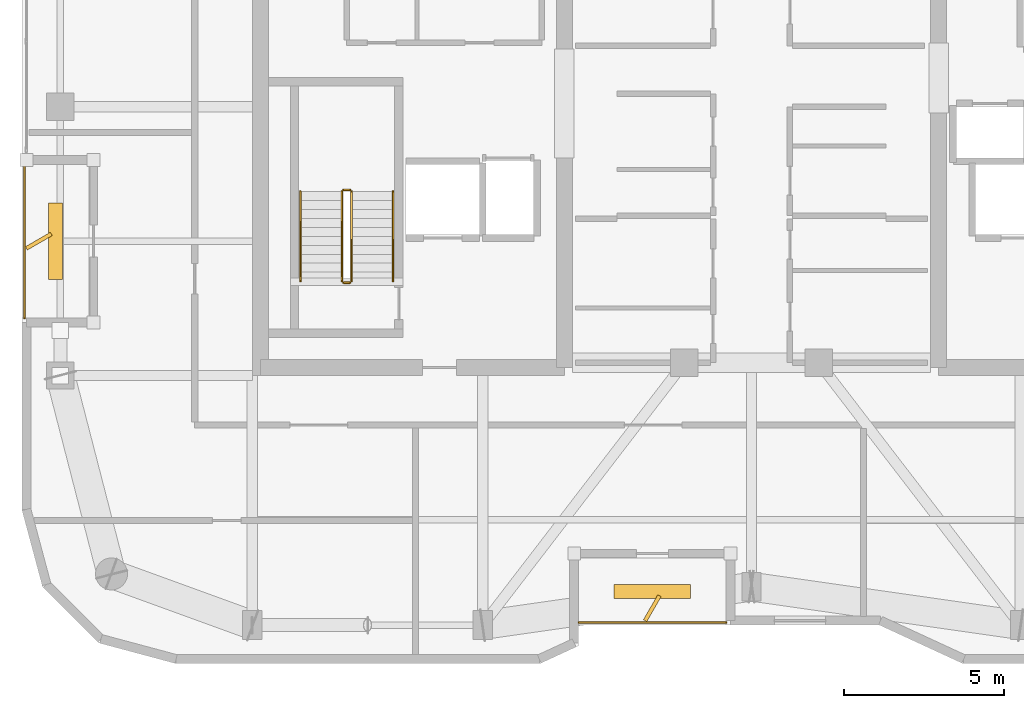
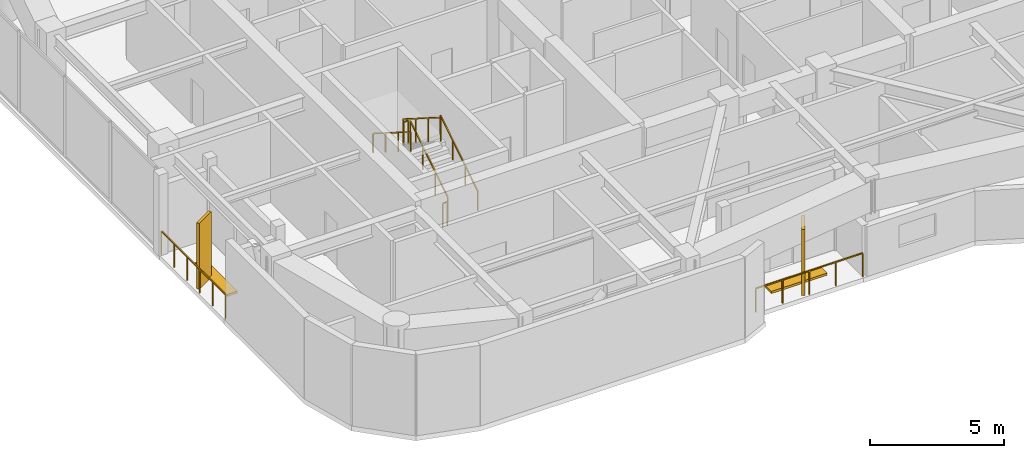
# One storey, part 15 of 16: 8 railings, 4 shading devices.
"""IFC4 building model written with IfcOpenShell, lengths in metres."""

from ifc_helpers import new_model, si_unit, direction, frame, origin, origin_2d, place, context, subcontext, project, spatial, rectangle, extrude, material, type_object, element, save


model = new_model("IFC4")

# Units and contexts
model_context = context("Model", 3, precision=1e-05, world=origin(), true_north=direction((0.0, 1.0)))
body_context = subcontext(model_context, "Body", "Model", "MODEL_VIEW")
ifc_project = project(units=[si_unit("LENGTHUNIT", "METRE"), si_unit("AREAUNIT", "SQUARE_METRE"), si_unit("VOLUMEUNIT", "CUBIC_METRE"), si_unit("PLANEANGLEUNIT", "RADIAN"), si_unit("MASSUNIT", "GRAM", prefix="KILO")], contexts=[model_context])

# Site, building, storey
site_placement = place(None, origin())
site = spatial("IfcSite", under=ifc_project, at=site_placement, CompositionType="ELEMENT")
building_placement = place(site_placement, origin())
building = spatial("IfcBuilding", under=site, at=building_placement, Name="Kiyonajd Concourse Tower", CompositionType="ELEMENT")
storey_placement = place(building_placement, frame((0.0, 0.0, 333.60009765625)))
storey = spatial("IfcBuildingStorey", under=building, at=storey_placement, Name="L84", CompositionType="ELEMENT", Elevation=333.60009765625)

# Railings
ifc_material_1 = material(Name="Thermally Broken Anodised Aluminium", Category="aluminium")
railing_type_1 = type_object("IfcRailingType", Name="RL-GRD-LOG", PredefinedType="GUARDRAIL", material=ifc_material_1)
railing_1_placement = place(storey_placement, frame((42.60009765625, 19.8798828125, 0.0)))
element("IfcRailing", 1, at=railing_1_placement, inside=storey, type_object=railing_type_1, Name="L84 Engawa Loggia Perimeter Guard LOG-S", PredefinedType="GUARDRAIL", context=body_context, shape_type="SweptSolid", body=[
    extrude(rectangle(XDim=0.048095703125, YDim=0.048095703125, at=origin_2d()), frame((0.0, 0.0, 1.076171875), z_axis=(1.0, 0.0, 0.0), x_axis=(0.0, 1.0, 0.0)), (0.0, 0.0, 1.0), 4.599853515625),
    extrude(rectangle(XDim=0.0419921875, YDim=0.0419921875, at=origin_2d()), origin(), (0.0, 0.0, 1.0), 1.052001953125),
    extrude(rectangle(XDim=0.0419921875, YDim=0.0419921875, at=origin_2d()), frame((1.14990234375, 0.0, 0.0)), (0.0, 0.0, 1.0), 1.052001953125),
    extrude(rectangle(XDim=0.0419921875, YDim=0.0419921875, at=origin_2d()), frame((2.2998046875, 0.0, 0.0)), (0.0, 0.0, 1.0), 1.052001953125),
    extrude(rectangle(XDim=0.0419921875, YDim=0.0419921875, at=origin_2d()), frame((3.449951171875, 0.0, 0.0)), (0.0, 0.0, 1.0), 1.052001953125),
    extrude(rectangle(XDim=0.0419921875, YDim=0.0419921875, at=origin_2d()), frame((4.599853515625, 0.0, 0.0)), (0.0, 0.0, 1.0), 1.052001953125),
])
railing_2_placement = place(storey_placement, frame((25.280029296875, 34.199951171875, 0.0)))
element("IfcRailing", 2, at=railing_2_placement, inside=storey, type_object=railing_type_1, Name="L84 Engawa Loggia Perimeter Guard LOG-W", PredefinedType="GUARDRAIL", context=body_context, shape_type="SweptSolid", body=[
    extrude(rectangle(XDim=0.048095703125, YDim=0.048095703125, at=origin_2d()), frame((0.0, 0.0, 1.076171875), z_axis=(0.0, -1.0, 0.0), x_axis=(1.0, 0.0, 0.0)), (0.0, 0.0, 1.0), 4.800048828125),
    extrude(rectangle(XDim=0.0419921875, YDim=0.0419921875, at=origin_2d()), origin(), (0.0, 0.0, 1.0), 1.052001953125),
    extrude(rectangle(XDim=0.0419921875, YDim=0.0419921875, at=origin_2d()), frame((0.0, -0.9599609375, 0.0)), (0.0, 0.0, 1.0), 1.052001953125),
    extrude(rectangle(XDim=0.0419921875, YDim=0.0419921875, at=origin_2d()), frame((0.0, -1.919921875, 0.0)), (0.0, 0.0, 1.0), 1.052001953125),
    extrude(rectangle(XDim=0.0419921875, YDim=0.0419921875, at=origin_2d()), frame((0.0, -2.880126953125, 0.0)), (0.0, 0.0, 1.0), 1.052001953125),
    extrude(rectangle(XDim=0.0419921875, YDim=0.0419921875, at=origin_2d()), frame((0.0, -3.840087890625, 0.0)), (0.0, 0.0, 1.0), 1.052001953125),
    extrude(rectangle(XDim=0.0419921875, YDim=0.0419921875, at=origin_2d()), frame((0.0, -4.800048828125, 0.0)), (0.0, 0.0, 1.0), 1.052001953125),
])
ifc_material_2 = material(Name="Steel ASTM A500 Grade C", Category="steel")
railing_type_2 = type_object("IfcRailingType", Name="RL-GRD-STR", PredefinedType="GUARDRAIL", material=ifc_material_2)
railing_3_placement = place(storey_placement, frame((35.5, 30.550048828125, 0.17724609375)))
element("IfcRailing", 3, at=railing_3_placement, inside=storey, type_object=railing_type_2, Name="L84 ST1 stair guard 1", PredefinedType="GUARDRAIL", context=body_context, shape_type="SweptSolid", body=[
    extrude(rectangle(XDim=0.048095703125, YDim=0.048095703125, at=origin_2d()), frame((0.0, 0.0, 1.076171875), z_axis=(0.0, 0.844908973607, 0.534910110503), x_axis=(-1.0, 0.0, 0.0)), (0.0, 0.0, 1.0), 3.31396484375),
    extrude(rectangle(XDim=0.0419921875, YDim=0.0419921875, at=origin_2d()), origin(), (0.0, 0.0, 1.0), 1.052001953125),
    extrude(rectangle(XDim=0.0419921875, YDim=0.0419921875, at=origin_2d()), frame((0.0, 0.933349609375, 0.5908203125)), (0.0, 0.0, 1.0), 1.052001953125),
    extrude(rectangle(XDim=0.0419921875, YDim=0.0419921875, at=origin_2d()), frame((0.0, 1.86669921875, 1.181884765625)), (0.0, 0.0, 1.0), 1.052001953125),
    extrude(rectangle(XDim=0.0419921875, YDim=0.0419921875, at=origin_2d()), frame((0.0, 2.800048828125, 1.772705078125)), (0.0, 0.0, 1.0), 1.052001953125),
])
railing_4_placement = place(storey_placement, frame((35.449951171875, 33.39990234375, 1.949951171875)))
element("IfcRailing", 4, at=railing_4_placement, inside=storey, type_object=railing_type_2, Name="L84 ST1 stair guard 2", PredefinedType="GUARDRAIL", context=body_context, shape_type="SweptSolid", body=[
    extrude(rectangle(XDim=0.048095703125, YDim=0.048095703125, at=origin_2d()), frame((0.0, 0.0, 1.076171875), z_axis=(-1.0, 0.0, 0.0), x_axis=(0.0, -1.0, 0.0)), (0.0, 0.0, 1.0), 0.199951171875),
    extrude(rectangle(XDim=0.0419921875, YDim=0.0419921875, at=origin_2d()), origin(), (0.0, 0.0, 1.0), 1.052001953125),
    extrude(rectangle(XDim=0.0419921875, YDim=0.0419921875, at=origin_2d()), frame((-0.199951171875, 0.0, 0.0)), (0.0, 0.0, 1.0), 1.052001953125),
])
railing_5_placement = place(storey_placement, frame((35.199951171875, 33.35009765625, 2.127197265625)))
element("IfcRailing", 5, at=railing_5_placement, inside=storey, type_object=railing_type_2, Name="L84 ST1 stair guard 3", PredefinedType="GUARDRAIL", context=body_context, shape_type="SweptSolid", body=[
    extrude(rectangle(XDim=0.048095703125, YDim=0.048095703125, at=origin_2d()), frame((0.0, 0.0, 1.076171875), z_axis=(0.0, -0.844908973607, 0.534910110503), x_axis=(1.0, 0.0, 0.0)), (0.0, 0.0, 1.0), 3.31396484375),
    extrude(rectangle(XDim=0.0419921875, YDim=0.0419921875, at=origin_2d()), origin(), (0.0, 0.0, 1.0), 1.052001953125),
    extrude(rectangle(XDim=0.0419921875, YDim=0.0419921875, at=origin_2d()), frame((0.0, -0.933349609375, 0.5908203125)), (0.0, 0.0, 1.0), 1.052001953125),
    extrude(rectangle(XDim=0.0419921875, YDim=0.0419921875, at=origin_2d()), frame((0.0, -1.86669921875, 1.181884765625)), (0.0, 0.0, 1.0), 1.052001953125),
    extrude(rectangle(XDim=0.0419921875, YDim=0.0419921875, at=origin_2d()), frame((0.0, -2.800048828125, 1.772705078125)), (0.0, 0.0, 1.0), 1.052001953125),
])
railing_6_placement = place(storey_placement, frame((35.449951171875, 30.5, 0.0)))
element("IfcRailing", 6, at=railing_6_placement, inside=storey, type_object=railing_type_2, Name="L84 ST1 stair guard 4", PredefinedType="GUARDRAIL", context=body_context, shape_type="SweptSolid", body=[
    extrude(rectangle(XDim=0.048095703125, YDim=0.048095703125, at=origin_2d()), frame((0.0, 0.0, 1.076171875), z_axis=(-1.0, 0.0, 0.0), x_axis=(0.0, -1.0, 0.0)), (0.0, 0.0, 1.0), 0.199951171875),
    extrude(rectangle(XDim=0.0419921875, YDim=0.0419921875, at=origin_2d()), origin(), (0.0, 0.0, 1.0), 1.052001953125),
    extrude(rectangle(XDim=0.0419921875, YDim=0.0419921875, at=origin_2d()), frame((-0.199951171875, 0.0, 0.0)), (0.0, 0.0, 1.0), 1.052001953125),
])
ifc_material_3 = material(Name="Brushed Stainless Steel Cab Assembly", Category="steel")
railing_type_3 = type_object("IfcRailingType", Name="RL-HND-900", PredefinedType="HANDRAIL", material=ifc_material_3)
railing_7_placement = place(storey_placement, frame((36.800048828125, 30.550048828125, 0.17724609375)))
element("IfcRailing", 7, at=railing_7_placement, inside=storey, type_object=railing_type_3, Name="L84 ST1 stair handrail 1", PredefinedType="HANDRAIL", context=body_context, shape_type="SweptSolid", body=[
    extrude(rectangle(XDim=0.048095703125, YDim=0.048095703125, at=origin_2d()), frame((0.0, 0.0, 0.8759765625), z_axis=(0.0, 0.844908973607, 0.534910110503), x_axis=(-1.0, 0.0, 0.0)), (0.0, 0.0, 1.0), 3.31396484375),
    extrude(rectangle(XDim=0.0419921875, YDim=0.0419921875, at=origin_2d()), origin(), (0.0, 0.0, 1.0), 0.851806640625),
    extrude(rectangle(XDim=0.0419921875, YDim=0.0419921875, at=origin_2d()), frame((0.0, 0.933349609375, 0.5908203125)), (0.0, 0.0, 1.0), 0.851806640625),
    extrude(rectangle(XDim=0.0419921875, YDim=0.0419921875, at=origin_2d()), frame((0.0, 1.86669921875, 1.181884765625)), (0.0, 0.0, 1.0), 0.851806640625),
    extrude(rectangle(XDim=0.0419921875, YDim=0.0419921875, at=origin_2d()), frame((0.0, 2.800048828125, 1.772705078125)), (0.0, 0.0, 1.0), 0.851806640625),
])
railing_8_placement = place(storey_placement, frame((33.89990234375, 33.35009765625, 2.127197265625)))
element("IfcRailing", 8, at=railing_8_placement, inside=storey, type_object=railing_type_3, Name="L84 ST1 stair handrail 2", PredefinedType="HANDRAIL", context=body_context, shape_type="SweptSolid", body=[
    extrude(rectangle(XDim=0.048095703125, YDim=0.048095703125, at=origin_2d()), frame((0.0, 0.0, 0.8759765625), z_axis=(0.0, -0.844908973607, 0.534910110503), x_axis=(1.0, 0.0, 0.0)), (0.0, 0.0, 1.0), 3.31396484375),
    extrude(rectangle(XDim=0.0419921875, YDim=0.0419921875, at=origin_2d()), origin(), (0.0, 0.0, 1.0), 0.851806640625),
    extrude(rectangle(XDim=0.0419921875, YDim=0.0419921875, at=origin_2d()), frame((0.0, -0.933349609375, 0.5908203125)), (0.0, 0.0, 1.0), 0.851806640625),
    extrude(rectangle(XDim=0.0419921875, YDim=0.0419921875, at=origin_2d()), frame((0.0, -1.86669921875, 1.181884765625)), (0.0, 0.0, 1.0), 0.851806640625),
    extrude(rectangle(XDim=0.0419921875, YDim=0.0419921875, at=origin_2d()), frame((0.0, -2.800048828125, 1.772705078125)), (0.0, 0.0, 1.0), 0.851806640625),
])

# Shading devices
ifc_material_4 = material(Name="Precast concrete C50/60", Category="concrete")
shading_device_type_1 = type_object("IfcShadingDeviceType", Name="SH-FIN-900", PredefinedType="USERDEFINED", material=ifc_material_4)
for number, where, z_axis, x_axis, name in (
    (9, (44.89990234375, 20.330078125, 0.0), (0.0, 0.0, 1.0), (0.5, 0.866025403784, 0.0), "L84 Angled Koshi Solar Fin LOG-S"),
    (10, (25.72998046875, 31.800048828125, 0.0), (0.0, 0.0, 1.0), (0.866025403784, 0.5, 0.0), "L84 Angled Koshi Solar Fin LOG-W"),
):
    element("IfcShadingDevice", number, at=place(storey_placement, frame(where, z_axis=z_axis, x_axis=x_axis)), inside=storey, type_object=shading_device_type_1, Name=name, ObjectType="FIN", PredefinedType="USERDEFINED", context=body_context, shape_type="SweptSolid", body=[
        extrude(rectangle(XDim=0.89990234375, YDim=0.1201171875, at=origin_2d()), origin(), (0.0, 0.0, 1.0), 3.0),
    ])
shading_device_type_2 = type_object("IfcShadingDeviceType", Name="SH-LVR-600", PredefinedType="JALOUSIE", material=ifc_material_1)
for number, where, z_axis, x_axis, name in (
    (11, (44.89990234375, 20.85009765625, -0.000244140625), (0.0, 0.0, 1.0), (1.0, 0.0, 0.0), "L84 Loggia Threshold Louver LOG-S"),
    (12, (26.25, 31.800048828125, -0.000244140625), (0.0, 0.0, 1.0), (0.0, 1.0, 0.0), "L84 Loggia Threshold Louver LOG-W"),
):
    element("IfcShadingDevice", number, at=place(storey_placement, frame(where, z_axis=z_axis, x_axis=x_axis)), inside=storey, type_object=shading_device_type_2, Name=name, PredefinedType="JALOUSIE", context=body_context, shape_type="SweptSolid", body=[
        extrude(rectangle(XDim=2.39990234375, YDim=0.449951171875, at=origin_2d()), origin(), (0.0, 0.0, 1.0), 0.10009765625),
    ])

save(model, "model.ifc")
